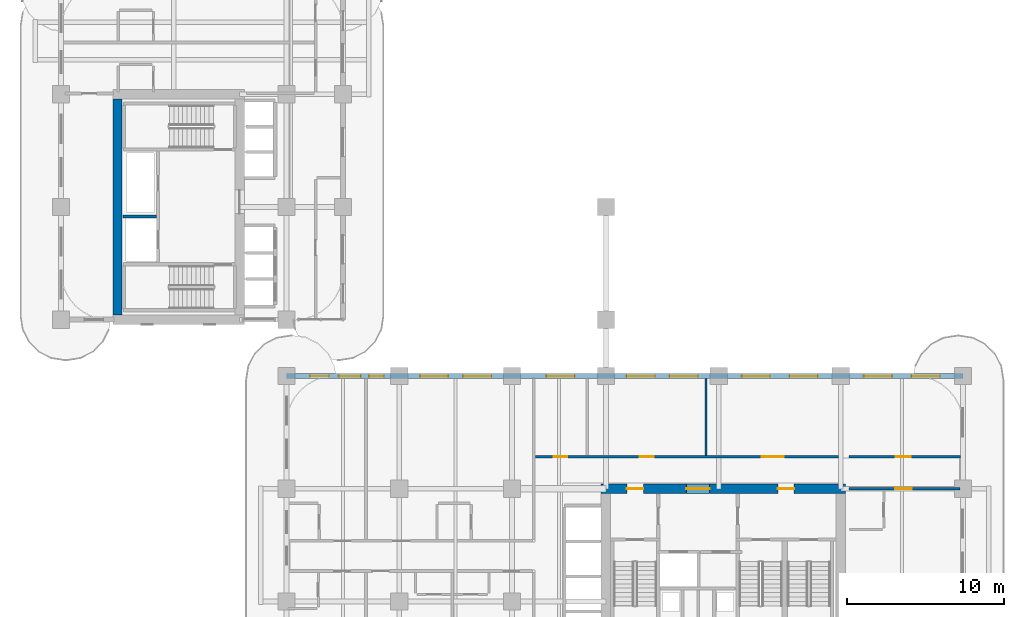
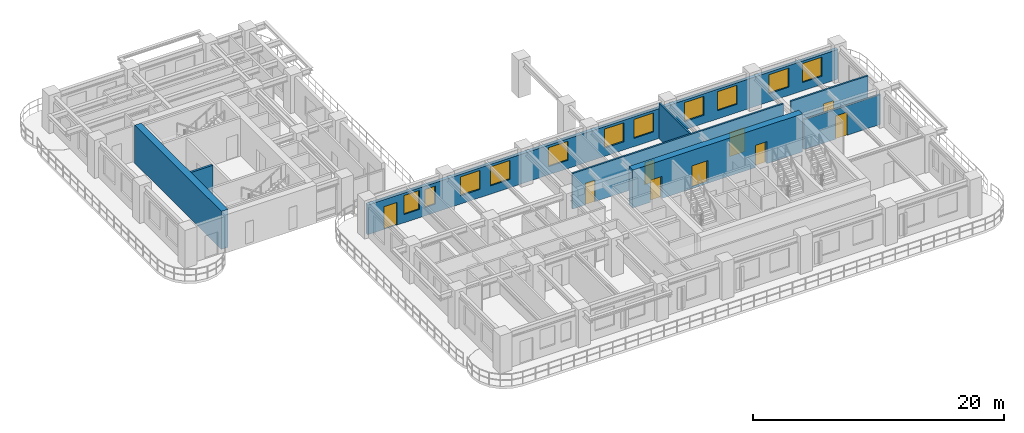
# One storey, part 10 of 19: 11 windows, 9 doors, 8 walls, 20 openings.
"""IFC4 building model written with IfcOpenShell, lengths in metres."""

from ifc_helpers import new_model, si_unit, derived_unit, direction, frame, frame_2d, origin, place, context, subcontext, project, spatial, rectangle, extrude, source, transform, mapped, material, layer, layer_set, type_object, type_shapes, element, fill, save


model = new_model("IFC4")

# Units and contexts
model_context = context("Model", 3, precision=1e-05, world=origin(), true_north=direction((0.0, 1.0)))
body_context = subcontext(model_context, "Body", "Model", "MODEL_VIEW")
ifc_project = project(units=[si_unit("LENGTHUNIT", "METRE"), si_unit("AREAUNIT", "SQUARE_METRE"), si_unit("VOLUMEUNIT", "CUBIC_METRE"), si_unit("PLANEANGLEUNIT", "RADIAN"), si_unit("MASSUNIT", "GRAM", prefix="KILO"), si_unit("THERMODYNAMICTEMPERATUREUNIT", "KELVIN"), si_unit("POWERUNIT", "WATT"), derived_unit("THERMALTRANSMITTANCEUNIT", [(si_unit("POWERUNIT", "WATT"), 1), (si_unit("AREAUNIT", "SQUARE_METRE"), -1), (si_unit("THERMODYNAMICTEMPERATUREUNIT", "KELVIN"), -1)])], contexts=[model_context])

# Site, building, storey
site_placement = place(None, origin())
site = spatial("IfcSite", under=ifc_project, at=site_placement, CompositionType="ELEMENT")
building_placement = place(site_placement, origin())
building = spatial("IfcBuilding", under=site, at=building_placement, Name="Zahravan Archway Hotel and Residences", CompositionType="ELEMENT")
storey_placement = place(building_placement, frame((0.0, 0.0, 32.39990234375)))
storey = spatial("IfcBuildingStorey", under=building, at=storey_placement, Name="L06", CompositionType="ELEMENT", Elevation=32.39990234375)

# Wall, openings, doors
ifc_material_1 = material(Name="Concrete C70/85", Category="concrete")
ifc_layer_1 = layer(ifc_material_1, 0.60009765625, Name="Concrete C70/85", Category="concrete")
ifc_layer_set_1 = layer_set([ifc_layer_1], Name="Concrete C70/85")
wall_type_1 = type_object("IfcWallType", Name="CW-CORE-600", PredefinedType="SHEAR", material=ifc_layer_set_1)
wall_1_placement = place(storey_placement, frame((34.5, 14.39990234375, 0.0), z_axis=(0.0, 0.0, 1.0), x_axis=(1.0, 0.0, 0.0)))
wall_1 = element("IfcWall", 1, at=wall_1_placement, inside=storey, type_object=wall_type_1, Name="L06 Core A Shear N Wall 600 mm", PredefinedType="SHEAR", context=body_context, shape_type="SweptSolid", body=[
    extrude(rectangle(XDim=15.60009765625, YDim=0.60009765625, at=frame_2d((7.800048828125, 0.0))), origin(), (0.0, 0.0, 1.0), 3.7001953125),
])
opening_1_placement = place(wall_1_placement, frame((5.429931640625, 0.0, 0.0)))
opening_1 = element("IfcOpeningElement", 2, at=opening_1_placement, cuts=wall_1, Name="Opening FD-L1", PredefinedType="OPENING", context=body_context, shape_type="SweptSolid", body=[
    extrude(rectangle(XDim=1.5, YDim=2.199951171875, at=frame_2d((0.75, 1.10009765625))), frame((0.0, 0.31005859375, 0.0), z_axis=(0.0, -1.0, 0.0), x_axis=(1.0, 0.0, 0.0)), (0.0, 0.0, 1.0), 0.6201171875),
])
opening_2_placement = place(wall_1_placement, frame((1.64501953125, 0.0, 0.0)))
opening_2 = element("IfcOpeningElement", 3, at=opening_2_placement, cuts=wall_1, Name="Opening FD-L2", PredefinedType="OPENING", context=body_context, shape_type="SweptSolid", body=[
    extrude(rectangle(XDim=1.050048828125, YDim=2.14990234375, at=frame_2d((0.52490234375, 1.074951171875))), frame((0.0, 0.31005859375, 0.0), z_axis=(0.0, -1.0, 0.0), x_axis=(1.0, 0.0, 0.0)), (0.0, 0.0, 1.0), 0.6201171875),
])
opening_3_placement = place(wall_1_placement, frame((11.27490234375, 0.0, 0.0)))
opening_3 = element("IfcOpeningElement", 4, at=opening_3_placement, cuts=wall_1, Name="Opening FD-L2", PredefinedType="OPENING", context=body_context, shape_type="SweptSolid", body=[
    extrude(rectangle(XDim=1.050048828125, YDim=2.14990234375, at=frame_2d((0.52490234375, 1.074951171875))), frame((0.0, 0.31005859375, 0.0), z_axis=(0.0, -1.0, 0.0), x_axis=(1.0, 0.0, 0.0)), (0.0, 0.0, 1.0), 0.6201171875),
])
ifc_material_2 = material(Name="Fire-Rated Painted Steel", Category="steel")
door_type_1 = type_object("IfcDoorType", Name="FD-LOBBY-1100", OperationType="NOTDEFINED", PredefinedType="DOOR", material=ifc_material_2)
shared_shape_1 = source(origin(), body_context, "Body", "SweptSolid", [
    extrude(rectangle(XDim=1.050048828125, YDim=2.14990234375, at=frame_2d((0.52490234375, 1.074951171875))), frame((0.0, 0.02490234375, 0.0), z_axis=(0.0, -1.0, 0.0), x_axis=(1.0, 0.0, 0.0)), (0.0, 0.0, 1.0), 0.050048828125),
])
type_shapes(door_type_1, [shared_shape_1])
door_1_placement = place(opening_2_placement, origin())
door_1 = element("IfcDoor", 5, at=door_1_placement, inside=storey, type_object=door_type_1, Name="L06 Core A West Stair Lobby Door", OperationType="SINGLE_SWING_LEFT", OverallHeight=2.14990234375, OverallWidth=1.050048828125, PredefinedType="DOOR", context=body_context, shape_type="MappedRepresentation", body=[
    mapped(shared_shape_1, transform((0.0, 0.0, 0.0), scale=1.0)),
])
fill(opening_2, door_1)
door_2_placement = place(opening_3_placement, origin())
door_2 = element("IfcDoor", 6, at=door_2_placement, inside=storey, type_object=door_type_1, Name="L06 Core A East Stair Lobby Door", OperationType="SINGLE_SWING_RIGHT", OverallHeight=2.14990234375, OverallWidth=1.050048828125, PredefinedType="DOOR", context=body_context, shape_type="MappedRepresentation", body=[
    mapped(shared_shape_1, transform((0.0, 0.0, 0.0), scale=1.0)),
])
fill(opening_3, door_2)
door_type_2 = type_object("IfcDoorType", Name="FD-LOBBY-1500", OperationType="DOUBLE_DOOR_SINGLE_SWING", PredefinedType="DOOR", material=ifc_material_2)
shared_shape_2 = source(origin(), body_context, "Body", "SweptSolid", [
    extrude(rectangle(XDim=1.5, YDim=2.199951171875, at=frame_2d((0.75, 1.10009765625))), frame((0.0, 0.02490234375, 0.0), z_axis=(0.0, -1.0, 0.0), x_axis=(1.0, 0.0, 0.0)), (0.0, 0.0, 1.0), 0.050048828125),
])
type_shapes(door_type_2, [shared_shape_2])
door_3_placement = place(opening_1_placement, origin())
door_3 = element("IfcDoor", 7, at=door_3_placement, inside=storey, type_object=door_type_2, Name="L06 Core A FSAE Lobby Main Door", OperationType="DOUBLE_DOOR_SINGLE_SWING", OverallHeight=2.199951171875, OverallWidth=1.5, PredefinedType="DOOR", context=body_context, shape_type="MappedRepresentation", body=[
    mapped(shared_shape_2, transform((0.0, 0.0, 0.0), scale=1.0)),
])
fill(opening_1, door_3)

# Wall
wall_2_placement = place(storey_placement, frame((3.60009765625, 25.5, 0.0), z_axis=(0.0, 0.0, 1.0), x_axis=(0.0, 1.0, 0.0)))
element("IfcWall", 8, at=wall_2_placement, inside=storey, type_object=wall_type_1, Name="L06 Core B Shear W Wall 600 mm", PredefinedType="SHEAR", context=body_context, shape_type="SweptSolid", body=[
    extrude(rectangle(XDim=13.800048828125, YDim=0.60009765625, at=frame_2d((6.89990234375, 0.0))), origin(), (0.0, 0.0, 1.0), 3.7001953125),
])

# Wall, openings, door, windows
ifc_material_3 = material(Name="Agra Buff Sandstone & Insulated Backup", Category="masonry")
ifc_layer_2 = layer(ifc_material_3, 0.320068359375, Name="Agra Buff Sandstone & Insulated Backup", Category="masonry")
ifc_layer_set_2 = layer_set([ifc_layer_2], Name="Agra Buff Sandstone & Insulated Backup")
wall_type_2 = type_object("IfcWallType", Name="EW-SAND-320", PredefinedType="SOLIDWALL", material=ifc_layer_set_2)
wall_3_placement = place(storey_placement, frame((14.39990234375, 21.60009765625, 0.0), z_axis=(0.0, 0.0, 1.0), x_axis=(1.0, 0.0, 0.0)))
wall_3 = element("IfcWall", 9, at=wall_3_placement, inside=storey, type_object=wall_type_2, Name="L06 Exterior Sandstone Wall WA-NE", PredefinedType="SOLIDWALL", context=body_context, shape_type="SweptSolid", body=[
    extrude(rectangle(XDim=43.2001953125, YDim=0.320068359375, at=frame_2d((21.60009765625, 0.0))), origin(), (0.0, 0.0, 1.0), 2.885009765625),
])
opening_4_placement = place(wall_3_placement, frame((1.5, 0.0, 0.0)))
opening_4 = element("IfcOpeningElement", 10, at=opening_4_placement, cuts=wall_3, Name="Opening ED-BL1", PredefinedType="OPENING", context=body_context, shape_type="SweptSolid", body=[
    extrude(rectangle(XDim=1.199951171875, YDim=2.199951171875, at=frame_2d((0.60009765625, 1.10009765625))), frame((0.0, 0.169921875, 0.0), z_axis=(0.0, -1.0, 0.0), x_axis=(1.0, 0.0, 0.0)), (0.0, 0.0, 1.0), 0.340087890625),
])
opening_5_placement = place(wall_3_placement, frame((3.3359375, 0.0, 0.800048828125)))
opening_5 = element("IfcOpeningElement", 11, at=opening_5_placement, cuts=wall_3, Name="Opening W-03", PredefinedType="OPENING", context=body_context, shape_type="SweptSolid", body=[
    extrude(rectangle(XDim=1.39990234375, YDim=1.85009765625, at=frame_2d((0.699951171875, 0.925048828125))), frame((0.0, 0.169921875, 0.0), z_axis=(0.0, -1.0, 0.0), x_axis=(1.0, 0.0, 0.0)), (0.0, 0.0, 1.0), 0.340087890625),
])
opening_6_placement = place(wall_3_placement, frame((5.26904296875, 0.0, 0.800048828125)))
opening_6 = element("IfcOpeningElement", 12, at=opening_6_placement, cuts=wall_3, Name="Opening W-04", PredefinedType="OPENING", context=body_context, shape_type="SweptSolid", body=[
    extrude(rectangle(XDim=0.949951171875, YDim=1.75, at=frame_2d((0.47509765625, 0.875))), frame((0.0, 0.169921875, 0.0), z_axis=(0.0, -1.0, 0.0), x_axis=(1.0, 0.0, 0.0)), (0.0, 0.0, 1.0), 0.340087890625),
])
opening_7_placement = place(wall_3_placement, frame((8.52490234375, 0.0, 0.800048828125)))
opening_7 = element("IfcOpeningElement", 13, at=opening_7_placement, cuts=wall_3, Name="Opening W-02", PredefinedType="OPENING", context=body_context, shape_type="SweptSolid", body=[
    extrude(rectangle(XDim=1.800048828125, YDim=1.85009765625, at=frame_2d((0.89990234375, 0.925048828125))), frame((0.0, 0.169921875, 0.0), z_axis=(0.0, -1.0, 0.0), x_axis=(1.0, 0.0, 0.0)), (0.0, 0.0, 1.0), 0.340087890625),
])
opening_8_placement = place(wall_3_placement, frame((11.27490234375, 0.0, 0.800048828125)))
opening_8 = element("IfcOpeningElement", 14, at=opening_8_placement, cuts=wall_3, Name="Opening W-02", PredefinedType="OPENING", context=body_context, shape_type="SweptSolid", body=[
    extrude(rectangle(XDim=1.800048828125, YDim=1.85009765625, at=frame_2d((0.89990234375, 0.925048828125))), frame((0.0, 0.169921875, 0.0), z_axis=(0.0, -1.0, 0.0), x_axis=(1.0, 0.0, 0.0)), (0.0, 0.0, 1.0), 0.340087890625),
])
opening_9_placement = place(wall_3_placement, frame((16.60107421875, 0.0, 0.800048828125)))
opening_9 = element("IfcOpeningElement", 15, at=opening_9_placement, cuts=wall_3, Name="Opening W-02", PredefinedType="OPENING", context=body_context, shape_type="SweptSolid", body=[
    extrude(rectangle(XDim=1.800048828125, YDim=1.85009765625, at=frame_2d((0.89990234375, 0.925048828125))), frame((0.0, 0.169921875, 0.0), z_axis=(0.0, -1.0, 0.0), x_axis=(1.0, 0.0, 0.0)), (0.0, 0.0, 1.0), 0.340087890625),
])
opening_10_placement = place(wall_3_placement, frame((21.722900390625, 0.0, 0.800048828125)))
opening_10 = element("IfcOpeningElement", 16, at=opening_10_placement, cuts=wall_3, Name="Opening W-02", PredefinedType="OPENING", context=body_context, shape_type="SweptSolid", body=[
    extrude(rectangle(XDim=1.800048828125, YDim=1.85009765625, at=frame_2d((0.89990234375, 0.925048828125))), frame((0.0, 0.169921875, 0.0), z_axis=(0.0, -1.0, 0.0), x_axis=(1.0, 0.0, 0.0)), (0.0, 0.0, 1.0), 0.340087890625),
])
opening_11_placement = place(wall_3_placement, frame((24.468994140625, 0.0, 0.800048828125)))
opening_11 = element("IfcOpeningElement", 17, at=opening_11_placement, cuts=wall_3, Name="Opening W-02", PredefinedType="OPENING", context=body_context, shape_type="SweptSolid", body=[
    extrude(rectangle(XDim=1.800048828125, YDim=1.85009765625, at=frame_2d((0.89990234375, 0.925048828125))), frame((0.0, 0.169921875, 0.0), z_axis=(0.0, -1.0, 0.0), x_axis=(1.0, 0.0, 0.0)), (0.0, 0.0, 1.0), 0.340087890625),
])
opening_12_placement = place(wall_3_placement, frame((29.074951171875, 0.0, 0.800048828125)))
opening_12 = element("IfcOpeningElement", 18, at=opening_12_placement, cuts=wall_3, Name="Opening W-02", PredefinedType="OPENING", context=body_context, shape_type="SweptSolid", body=[
    extrude(rectangle(XDim=1.800048828125, YDim=1.85009765625, at=frame_2d((0.89990234375, 0.925048828125))), frame((0.0, 0.169921875, 0.0), z_axis=(0.0, -1.0, 0.0), x_axis=(1.0, 0.0, 0.0)), (0.0, 0.0, 1.0), 0.340087890625),
])
opening_13_placement = place(wall_3_placement, frame((32.125, 0.0, 0.800048828125)))
opening_13 = element("IfcOpeningElement", 19, at=opening_13_placement, cuts=wall_3, Name="Opening W-02", PredefinedType="OPENING", context=body_context, shape_type="SweptSolid", body=[
    extrude(rectangle(XDim=1.800048828125, YDim=1.85009765625, at=frame_2d((0.89990234375, 0.925048828125))), frame((0.0, 0.169921875, 0.0), z_axis=(0.0, -1.0, 0.0), x_axis=(1.0, 0.0, 0.0)), (0.0, 0.0, 1.0), 0.340087890625),
])
opening_14_placement = place(wall_3_placement, frame((36.875, 0.0, 0.800048828125)))
opening_14 = element("IfcOpeningElement", 20, at=opening_14_placement, cuts=wall_3, Name="Opening W-02", PredefinedType="OPENING", context=body_context, shape_type="SweptSolid", body=[
    extrude(rectangle(XDim=1.800048828125, YDim=1.85009765625, at=frame_2d((0.89990234375, 0.925048828125))), frame((0.0, 0.169921875, 0.0), z_axis=(0.0, -1.0, 0.0), x_axis=(1.0, 0.0, 0.0)), (0.0, 0.0, 1.0), 0.340087890625),
])
opening_15_placement = place(wall_3_placement, frame((39.925048828125, 0.0, 0.800048828125)))
opening_15 = element("IfcOpeningElement", 21, at=opening_15_placement, cuts=wall_3, Name="Opening W-02", PredefinedType="OPENING", context=body_context, shape_type="SweptSolid", body=[
    extrude(rectangle(XDim=1.800048828125, YDim=1.85009765625, at=frame_2d((0.89990234375, 0.925048828125))), frame((0.0, 0.169921875, 0.0), z_axis=(0.0, -1.0, 0.0), x_axis=(1.0, 0.0, 0.0)), (0.0, 0.0, 1.0), 0.340087890625),
])
ifc_material_4 = material(Name="Bronze-Anodized Glazed Aluminium", Category="aluminium")
door_type_3 = type_object("IfcDoorType", Name="ED-BALC-1200", OperationType="SLIDING_TO_LEFT", PredefinedType="DOOR", material=ifc_material_4)
shared_shape_3 = source(origin(), body_context, "Body", "SweptSolid", [
    extrude(rectangle(XDim=1.199951171875, YDim=2.199951171875, at=frame_2d((0.60009765625, 1.10009765625))), frame((0.0, 0.02490234375, 0.0), z_axis=(0.0, -1.0, 0.0), x_axis=(1.0, 0.0, 0.0)), (0.0, 0.0, 1.0), 0.050048828125),
])
type_shapes(door_type_3, [shared_shape_3])
door_4_placement = place(opening_4_placement, origin())
door_4 = element("IfcDoor", 22, at=door_4_placement, inside=storey, type_object=door_type_3, Name="L06 Outdoor Access Sliding Door (SLB-BAL-L06-WA)", OperationType="SLIDING_TO_LEFT", OverallHeight=2.199951171875, OverallWidth=1.199951171875, PredefinedType="DOOR", context=body_context, shape_type="MappedRepresentation", body=[
    mapped(shared_shape_3, transform((0.0, 0.0, 0.0), scale=1.0)),
])
fill(opening_4, door_4)
ifc_material_5 = material(Name="Bronze-Anodized Thermal-Break Aluminium & Low-E Glass", Category="aluminium")
window_type_1 = type_object("IfcWindowType", Name="WIN-TWR-1400", PartitioningType="SINGLE_PANEL", PredefinedType="WINDOW", material=ifc_material_5)
shared_shape_4 = source(origin(), body_context, "Body", "SweptSolid", [
    extrude(rectangle(XDim=1.39990234375, YDim=1.85009765625, at=frame_2d((0.699951171875, 0.925048828125))), frame((0.0, 0.030029296875, 0.0), z_axis=(0.0, -1.0, 0.0), x_axis=(1.0, 0.0, 0.0)), (0.0, 0.0, 1.0), 0.06005859375),
])
type_shapes(window_type_1, [shared_shape_4])
window_1_placement = place(opening_5_placement, origin())
window_1 = element("IfcWindow", 23, at=window_1_placement, inside=storey, type_object=window_type_1, Name="L06 Loggia Window 17", OverallHeight=1.85009765625, OverallWidth=1.39990234375, PartitioningType="SINGLE_PANEL", PredefinedType="WINDOW", context=body_context, shape_type="MappedRepresentation", body=[
    mapped(shared_shape_4, transform((0.0, 0.0, 0.0), scale=1.0)),
])
fill(opening_5, window_1)
window_type_2 = type_object("IfcWindowType", Name="WIN-NAR-950", PartitioningType="SINGLE_PANEL", PredefinedType="WINDOW", material=ifc_material_5)
shared_shape_5 = source(origin(), body_context, "Body", "SweptSolid", [
    extrude(rectangle(XDim=0.949951171875, YDim=1.75, at=frame_2d((0.47509765625, 0.875))), frame((0.0, 0.030029296875, 0.0), z_axis=(0.0, -1.0, 0.0), x_axis=(1.0, 0.0, 0.0)), (0.0, 0.0, 1.0), 0.06005859375),
])
type_shapes(window_type_2, [shared_shape_5])
window_2_placement = place(opening_6_placement, origin())
window_2 = element("IfcWindow", 24, at=window_2_placement, inside=storey, type_object=window_type_2, Name="L06 Loggia Window 18", OverallHeight=1.75, OverallWidth=0.949951171875, PartitioningType="SINGLE_PANEL", PredefinedType="WINDOW", context=body_context, shape_type="MappedRepresentation", body=[
    mapped(shared_shape_5, transform((0.0, 0.0, 0.0), scale=1.0)),
])
fill(opening_6, window_2)
window_type_3 = type_object("IfcWindowType", Name="WIN-TWR-1800", PartitioningType="DOUBLE_PANEL_VERTICAL", PredefinedType="WINDOW", material=ifc_material_5)
shared_shape_6 = source(origin(), body_context, "Body", "SweptSolid", [
    extrude(rectangle(XDim=1.800048828125, YDim=1.85009765625, at=frame_2d((0.89990234375, 0.925048828125))), frame((0.0, 0.030029296875, 0.0), z_axis=(0.0, -1.0, 0.0), x_axis=(1.0, 0.0, 0.0)), (0.0, 0.0, 1.0), 0.06005859375),
])
type_shapes(window_type_3, [shared_shape_6])
window_3_placement = place(opening_7_placement, origin())
window_3 = element("IfcWindow", 25, at=window_3_placement, inside=storey, type_object=window_type_3, Name="L06 Loggia Window 19", OverallHeight=1.85009765625, OverallWidth=1.800048828125, PartitioningType="DOUBLE_PANEL_VERTICAL", PredefinedType="WINDOW", context=body_context, shape_type="MappedRepresentation", body=[
    mapped(shared_shape_6, transform((0.0, 0.0, 0.0), scale=1.0)),
])
fill(opening_7, window_3)
window_4_placement = place(opening_8_placement, origin())
window_4 = element("IfcWindow", 26, at=window_4_placement, inside=storey, type_object=window_type_3, Name="L06 Loggia Window 20", OverallHeight=1.85009765625, OverallWidth=1.800048828125, PartitioningType="DOUBLE_PANEL_VERTICAL", PredefinedType="WINDOW", context=body_context, shape_type="MappedRepresentation", body=[
    mapped(shared_shape_6, transform((0.0, 0.0, 0.0), scale=1.0)),
])
fill(opening_8, window_4)
window_5_placement = place(opening_9_placement, origin())
window_5 = element("IfcWindow", 27, at=window_5_placement, inside=storey, type_object=window_type_3, Name="L06 Loggia Window 21", OverallHeight=1.85009765625, OverallWidth=1.800048828125, PartitioningType="DOUBLE_PANEL_VERTICAL", PredefinedType="WINDOW", context=body_context, shape_type="MappedRepresentation", body=[
    mapped(shared_shape_6, transform((0.0, 0.0, 0.0), scale=1.0)),
])
fill(opening_9, window_5)
window_6_placement = place(opening_10_placement, origin())
window_6 = element("IfcWindow", 28, at=window_6_placement, inside=storey, type_object=window_type_3, Name="L06 Loggia Window 22", OverallHeight=1.85009765625, OverallWidth=1.800048828125, PartitioningType="DOUBLE_PANEL_VERTICAL", PredefinedType="WINDOW", context=body_context, shape_type="MappedRepresentation", body=[
    mapped(shared_shape_6, transform((0.0, 0.0, 0.0), scale=1.0)),
])
fill(opening_10, window_6)
window_7_placement = place(opening_11_placement, origin())
window_7 = element("IfcWindow", 29, at=window_7_placement, inside=storey, type_object=window_type_3, Name="L06 Loggia Window 23", OverallHeight=1.85009765625, OverallWidth=1.800048828125, PartitioningType="DOUBLE_PANEL_VERTICAL", PredefinedType="WINDOW", context=body_context, shape_type="MappedRepresentation", body=[
    mapped(shared_shape_6, transform((0.0, 0.0, 0.0), scale=1.0)),
])
fill(opening_11, window_7)
window_8_placement = place(opening_12_placement, origin())
window_8 = element("IfcWindow", 30, at=window_8_placement, inside=storey, type_object=window_type_3, Name="L06 Loggia Window 24", OverallHeight=1.85009765625, OverallWidth=1.800048828125, PartitioningType="DOUBLE_PANEL_VERTICAL", PredefinedType="WINDOW", context=body_context, shape_type="MappedRepresentation", body=[
    mapped(shared_shape_6, transform((0.0, 0.0, 0.0), scale=1.0)),
])
fill(opening_12, window_8)
window_9_placement = place(opening_13_placement, origin())
window_9 = element("IfcWindow", 31, at=window_9_placement, inside=storey, type_object=window_type_3, Name="L06 Loggia Window 25", OverallHeight=1.85009765625, OverallWidth=1.800048828125, PartitioningType="DOUBLE_PANEL_VERTICAL", PredefinedType="WINDOW", context=body_context, shape_type="MappedRepresentation", body=[
    mapped(shared_shape_6, transform((0.0, 0.0, 0.0), scale=1.0)),
])
fill(opening_13, window_9)
window_10_placement = place(opening_14_placement, origin())
window_10 = element("IfcWindow", 32, at=window_10_placement, inside=storey, type_object=window_type_3, Name="L06 Loggia Window 26", OverallHeight=1.85009765625, OverallWidth=1.800048828125, PartitioningType="DOUBLE_PANEL_VERTICAL", PredefinedType="WINDOW", context=body_context, shape_type="MappedRepresentation", body=[
    mapped(shared_shape_6, transform((0.0, 0.0, 0.0), scale=1.0)),
])
fill(opening_14, window_10)
window_11_placement = place(opening_15_placement, origin())
window_11 = element("IfcWindow", 33, at=window_11_placement, inside=storey, type_object=window_type_3, Name="L06 Loggia Window 27", OverallHeight=1.85009765625, OverallWidth=1.800048828125, PartitioningType="DOUBLE_PANEL_VERTICAL", PredefinedType="WINDOW", context=body_context, shape_type="MappedRepresentation", body=[
    mapped(shared_shape_6, transform((0.0, 0.0, 0.0), scale=1.0)),
])
fill(opening_15, window_11)

# Wall, openings, doors
ifc_material_6 = material(Name="Fire-Rated Gypsum & Concrete Block", Category="concrete")
ifc_layer_3 = layer(ifc_material_6, 0.159912109375, Name="Fire-Rated Gypsum & Concrete Block", Category="concrete")
ifc_layer_set_3 = layer_set([ifc_layer_3], Name="Fire-Rated Gypsum & Concrete Block")
wall_type_3 = type_object("IfcWallType", Name="PW-CORR-160", PredefinedType="PARTITIONING", material=ifc_layer_set_3)
wall_4_placement = place(storey_placement, frame((30.2900390625, 16.449951171875, 0.0), z_axis=(0.0, 0.0, 1.0), x_axis=(1.0, 0.0, 0.0)))
wall_4 = element("IfcWall", 34, at=wall_4_placement, inside=storey, type_object=wall_type_3, Name="L06 Partition WA-FN", PredefinedType="PARTITIONING", context=body_context, shape_type="SweptSolid", body=[
    extrude(rectangle(XDim=19.369873046875, YDim=0.159912109375, at=frame_2d((9.68505859375, 0.0))), origin(), (0.0, 0.0, 1.0), 3.4501953125),
])
opening_16_placement = place(wall_4_placement, frame((1.18505859375, 0.0, 0.0)))
opening_16 = element("IfcOpeningElement", 35, at=opening_16_placement, cuts=wall_4, Name="Opening D-B1", PredefinedType="OPENING", context=body_context, shape_type="SweptSolid", body=[
    extrude(rectangle(XDim=0.85009765625, YDim=2.10009765625, at=frame_2d((0.425048828125, 1.050048828125))), frame((0.0, 0.08984375, 0.0), z_axis=(0.0, -1.0, 0.0), x_axis=(1.0, 0.0, 0.0)), (0.0, 0.0, 1.0), 0.179931640625),
])
opening_17_placement = place(wall_4_placement, frame((6.659912109375, 0.0, 0.0)))
opening_17 = element("IfcOpeningElement", 36, at=opening_17_placement, cuts=wall_4, Name="Opening D-I2", PredefinedType="OPENING", context=body_context, shape_type="SweptSolid", body=[
    extrude(rectangle(XDim=0.89990234375, YDim=2.14990234375, at=frame_2d((0.449951171875, 1.074951171875))), frame((0.0, 0.08984375, 0.0), z_axis=(0.0, -1.0, 0.0), x_axis=(1.0, 0.0, 0.0)), (0.0, 0.0, 1.0), 0.179931640625),
])
opening_18_placement = place(wall_4_placement, frame((14.4599609375, 0.0, 0.0)))
opening_18 = element("IfcOpeningElement", 37, at=opening_18_placement, cuts=wall_4, Name="Opening D-P1", PredefinedType="OPENING", context=body_context, shape_type="SweptSolid", body=[
    extrude(rectangle(XDim=1.39990234375, YDim=2.35009765625, at=frame_2d((0.699951171875, 1.175048828125))), frame((0.0, 0.08984375, 0.0), z_axis=(0.0, -1.0, 0.0), x_axis=(1.0, 0.0, 0.0)), (0.0, 0.0, 1.0), 0.179931640625),
])
ifc_material_7 = material(Name="Hardwood Veneer Timber", Category="wood")
door_type_4 = type_object("IfcDoorType", Name="ID-BATH-850", OperationType="NOTDEFINED", PredefinedType="DOOR", material=ifc_material_7)
shared_shape_7 = source(origin(), body_context, "Body", "SweptSolid", [
    extrude(rectangle(XDim=0.85009765625, YDim=2.10009765625, at=frame_2d((0.425048828125, 1.050048828125))), frame((0.0, 0.02490234375, 0.0), z_axis=(0.0, -1.0, 0.0), x_axis=(1.0, 0.0, 0.0)), (0.0, 0.0, 1.0), 0.050048828125),
])
type_shapes(door_type_4, [shared_shape_7])
door_5_placement = place(opening_16_placement, origin())
door_5 = element("IfcDoor", 38, at=door_5_placement, inside=storey, type_object=door_type_4, Name="L06 Accessible Floor Restroom Door", OperationType="SINGLE_SWING_RIGHT", OverallHeight=2.10009765625, OverallWidth=0.85009765625, PredefinedType="DOOR", context=body_context, shape_type="MappedRepresentation", body=[
    mapped(shared_shape_7, transform((0.0, 0.0, 0.0), scale=1.0)),
])
fill(opening_16, door_5)
door_type_5 = type_object("IfcDoorType", Name="ID-PUBLIC-1400", OperationType="DOUBLE_DOOR_SINGLE_SWING", PredefinedType="DOOR", material=ifc_material_4)
shared_shape_8 = source(origin(), body_context, "Body", "SweptSolid", [
    extrude(rectangle(XDim=1.39990234375, YDim=2.35009765625, at=frame_2d((0.699951171875, 1.175048828125))), frame((0.0, 0.02490234375, 0.0), z_axis=(0.0, -1.0, 0.0), x_axis=(1.0, 0.0, 0.0)), (0.0, 0.0, 1.0), 0.050048828125),
])
type_shapes(door_type_5, [shared_shape_8])
door_6_placement = place(opening_18_placement, origin())
door_6 = element("IfcDoor", 39, at=door_6_placement, inside=storey, type_object=door_type_5, Name="L06 Co-Working Room Door", OperationType="DOUBLE_DOOR_SINGLE_SWING", OverallHeight=2.35009765625, OverallWidth=1.39990234375, PredefinedType="DOOR", context=body_context, shape_type="MappedRepresentation", body=[
    mapped(shared_shape_8, transform((0.0, 0.0, 0.0), scale=1.0)),
])
fill(opening_18, door_6)
door_type_6 = type_object("IfcDoorType", Name="ID-INT-900", OperationType="NOTDEFINED", PredefinedType="DOOR", material=ifc_material_7)
shared_shape_9 = source(origin(), body_context, "Body", "SweptSolid", [
    extrude(rectangle(XDim=0.89990234375, YDim=2.14990234375, at=frame_2d((0.449951171875, 1.074951171875))), frame((0.0, 0.02490234375, 0.0), z_axis=(0.0, -1.0, 0.0), x_axis=(1.0, 0.0, 0.0)), (0.0, 0.0, 1.0), 0.050048828125),
])
type_shapes(door_type_6, [shared_shape_9])
door_7_placement = place(opening_17_placement, origin())
door_7 = element("IfcDoor", 40, at=door_7_placement, inside=storey, type_object=door_type_6, Name="L06 Tea Servery Door", OperationType="SINGLE_SWING_LEFT", OverallHeight=2.14990234375, OverallWidth=0.89990234375, PredefinedType="DOOR", context=body_context, shape_type="MappedRepresentation", body=[
    mapped(shared_shape_9, transform((0.0, 0.0, 0.0), scale=1.0)),
])
fill(opening_17, door_7)

# Wall, opening, door
wall_5_placement = place(storey_placement, frame((50.340087890625, 16.449951171875, 0.0), z_axis=(0.0, 0.0, 1.0), x_axis=(1.0, 0.0, 0.0)))
wall_5 = element("IfcWall", 41, at=wall_5_placement, inside=storey, type_object=wall_type_3, Name="L06 Partition EA-PN", PredefinedType="PARTITIONING", context=body_context, shape_type="SweptSolid", body=[
    extrude(rectangle(XDim=7.091796875, YDim=0.159912109375, at=frame_2d((3.5458984375, 0.0))), origin(), (0.0, 0.0, 1.0), 3.4501953125),
])
opening_19_placement = place(wall_5_placement, frame((2.985107421875, 0.0, 0.0)))
opening_19 = element("IfcOpeningElement", 42, at=opening_19_placement, cuts=wall_5, Name="Opening D-I1", PredefinedType="OPENING", context=body_context, shape_type="SweptSolid", body=[
    extrude(rectangle(XDim=0.949951171875, YDim=2.14990234375, at=frame_2d((0.47509765625, 1.074951171875))), frame((0.0, 0.08984375, 0.0), z_axis=(0.0, -1.0, 0.0), x_axis=(1.0, 0.0, 0.0)), (0.0, 0.0, 1.0), 0.179931640625),
])
door_type_7 = type_object("IfcDoorType", Name="ID-INT-950", OperationType="NOTDEFINED", PredefinedType="DOOR", material=ifc_material_7)
shared_shape_10 = source(origin(), body_context, "Body", "SweptSolid", [
    extrude(rectangle(XDim=0.949951171875, YDim=2.14990234375, at=frame_2d((0.47509765625, 1.074951171875))), frame((0.0, 0.02490234375, 0.0), z_axis=(0.0, -1.0, 0.0), x_axis=(1.0, 0.0, 0.0)), (0.0, 0.0, 1.0), 0.050048828125),
])
type_shapes(door_type_7, [shared_shape_10])
door_8_placement = place(opening_19_placement, origin())
door_8 = element("IfcDoor", 43, at=door_8_placement, inside=storey, type_object=door_type_7, Name="L06 East Tea Kitchenette Door", OperationType="SINGLE_SWING_LEFT", OverallHeight=2.14990234375, OverallWidth=0.949951171875, PredefinedType="DOOR", context=body_context, shape_type="MappedRepresentation", body=[
    mapped(shared_shape_10, transform((0.0, 0.0, 0.0), scale=1.0)),
])
fill(opening_19, door_8)

# Wall
ifc_layer_4 = layer(ifc_material_6, 0.199951171875, Name="Fire-Rated Gypsum & Concrete Block", Category="concrete")
ifc_layer_set_4 = layer_set([ifc_layer_4], Name="Fire-Rated Gypsum & Concrete Block")
wall_type_4 = type_object("IfcWallType", Name="PW-SHAFT-200", PredefinedType="PARTITIONING", material=ifc_layer_set_4)
wall_6_placement = place(storey_placement, frame((3.9599609375, 31.780029296875, 0.0), z_axis=(0.0, 0.0, 1.0), x_axis=(1.0, 0.0, 0.0)))
element("IfcWall", 44, at=wall_6_placement, inside=storey, type_object=wall_type_4, Name="L06 Partition CB-FL3N", PredefinedType="PARTITIONING", context=body_context, shape_type="SweptSolid", body=[
    extrude(rectangle(XDim=2.130126953125, YDim=0.199951171875, at=frame_2d((1.06494140625, 0.0))), origin(), (0.0, 0.0, 1.0), 3.4501953125),
])

# Wall, opening, door
ifc_material_8 = material(Name="Acoustic Stud Partition")
ifc_layer_5 = layer(ifc_material_8, 0.169921875, Name="Acoustic Stud Partition")
ifc_layer_set_5 = layer_set([ifc_layer_5], Name="Acoustic Stud Partition")
wall_type_5 = type_object("IfcWallType", Name="PW-UNIT-170", PredefinedType="PARTITIONING", material=ifc_layer_set_5)
wall_7_placement = place(storey_placement, frame((50.340087890625, 14.39990234375, 0.0), z_axis=(0.0, 0.0, 1.0), x_axis=(1.0, 0.0, 0.0)))
wall_7 = element("IfcWall", 45, at=wall_7_placement, inside=storey, type_object=wall_type_5, Name="L06 Partition EA-PS", PredefinedType="PARTITIONING", context=body_context, shape_type="SweptSolid", body=[
    extrude(rectangle(XDim=7.06982421875, YDim=0.169921875, at=frame_2d((3.534912109375, 0.0))), origin(), (0.0, 0.0, 1.0), 2.885009765625),
])
opening_20_placement = place(wall_7_placement, frame((2.93505859375, 0.0, 0.0)))
opening_20 = element("IfcOpeningElement", 46, at=opening_20_placement, cuts=wall_7, Name="Opening D-U1", PredefinedType="OPENING", context=body_context, shape_type="SweptSolid", body=[
    extrude(rectangle(XDim=1.050048828125, YDim=2.25, at=frame_2d((0.52490234375, 1.125))), frame((0.0, 0.094970703125, 0.0), z_axis=(0.0, -1.0, 0.0), x_axis=(1.0, 0.0, 0.0)), (0.0, 0.0, 1.0), 0.18994140625),
])
door_type_8 = type_object("IfcDoorType", Name="ID-UNIT-1050", OperationType="NOTDEFINED", PredefinedType="DOOR", material=ifc_material_7)
shared_shape_11 = source(origin(), body_context, "Body", "SweptSolid", [
    extrude(rectangle(XDim=1.050048828125, YDim=2.25, at=frame_2d((0.52490234375, 1.125))), frame((0.0, 0.02490234375, 0.0), z_axis=(0.0, -1.0, 0.0), x_axis=(1.0, 0.0, 0.0)), (0.0, 0.0, 1.0), 0.050048828125),
])
type_shapes(door_type_8, [shared_shape_11])
door_9_placement = place(opening_20_placement, origin())
door_9 = element("IfcDoor", 47, at=door_9_placement, inside=storey, type_object=door_type_8, Name="L06 East Suite Door", OperationType="SINGLE_SWING_RIGHT", OverallHeight=2.25, OverallWidth=1.050048828125, PredefinedType="DOOR", context=body_context, shape_type="MappedRepresentation", body=[
    mapped(shared_shape_11, transform((0.0, 0.0, 0.0), scale=1.0)),
])
fill(opening_20, door_9)

# Wall
ifc_material_9 = material(Name="Moisture-Resistant Blockwork", Category="masonry")
ifc_layer_6 = layer(ifc_material_9, 0.139892578125, Name="Moisture-Resistant Blockwork", Category="masonry")
ifc_layer_set_6 = layer_set([ifc_layer_6], Name="Moisture-Resistant Blockwork")
wall_type_6 = type_object("IfcWallType", Name="PW-WET-140", PredefinedType="PARTITIONING", material=ifc_layer_set_6)
wall_8_placement = place(storey_placement, frame((41.199951171875, 16.5400390625, 0.0), z_axis=(0.0, 0.0, 1.0), x_axis=(0.0, 1.0, 0.0)))
element("IfcWall", 48, at=wall_8_placement, inside=storey, type_object=wall_type_6, Name="L06 Partition NE0-2", PredefinedType="PARTITIONING", context=body_context, shape_type="SweptSolid", body=[
    extrude(rectangle(XDim=4.891845703125, YDim=0.139892578125, at=frame_2d((2.44580078125, 0.0))), origin(), (0.0, 0.0, 1.0), 3.4501953125),
])

save(model, "model.ifc")
